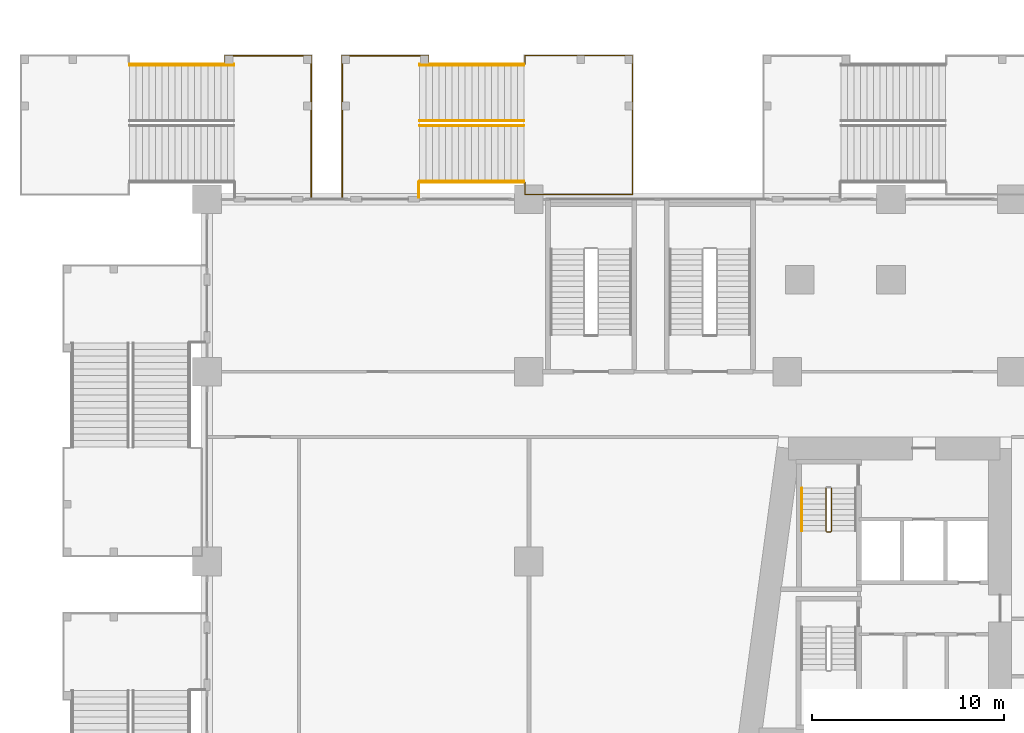
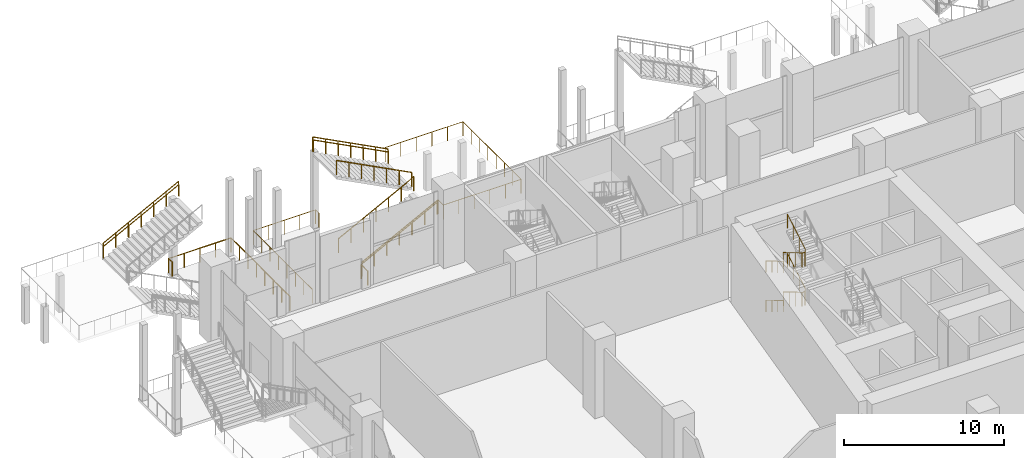
# One storey, part 40 of 47: 16 railings.
"""IFC4 building model written with IfcOpenShell, lengths in metres."""

from ifc_helpers import new_model, si_unit, direction, frame, origin, origin_2d, place, context, subcontext, project, spatial, circle, extrude, material, type_object, element, save


model = new_model("IFC4")

# Units and contexts
model_context = context("Model", 3, precision=1e-05, world=origin(), true_north=direction((0.0, 1.0)))
body_context = subcontext(model_context, "Body", "Model", "MODEL_VIEW")
ifc_project = project(units=[si_unit("LENGTHUNIT", "METRE"), si_unit("AREAUNIT", "SQUARE_METRE"), si_unit("VOLUMEUNIT", "CUBIC_METRE"), si_unit("PLANEANGLEUNIT", "RADIAN"), si_unit("MASSUNIT", "GRAM", prefix="KILO")], contexts=[model_context])

# Site, building, storey
site_placement = place(None, origin())
site = spatial("IfcSite", under=ifc_project, at=site_placement, CompositionType="ELEMENT")
building_placement = place(site_placement, origin())
building = spatial("IfcBuilding", under=site, at=building_placement, Name="Candeia Pilgrim Tower and Theatre", CompositionType="ELEMENT")
storey_placement = place(building_placement, frame((0.0, 0.0, 23.0)))
storey = spatial("IfcBuildingStorey", under=building, at=storey_placement, Name="L03", CompositionType="ELEMENT", Elevation=23.0)

# Railings
ifc_material_1 = material(Name="Stainless steel balustrade", Category="steel")
railing_type_1 = type_object("IfcRailingType", Name="RL-GUARD-1100", PredefinedType="GUARDRAIL", material=ifc_material_1)
railing_1_placement = place(storey_placement, frame((91.10205078125, 129.72509765625, 0.166748046875)))
element("IfcRailing", 1, at=railing_1_placement, inside=storey, type_object=railing_type_1, Name="L03 ST2 stair guard 1", PredefinedType="GUARDRAIL", context=body_context, shape_type="SweptSolid", body=[
    extrude(circle(Radius=0.02392578125, at=origin_2d()), frame((0.0, 0.0, 1.076171875), z_axis=(0.0, -0.859305625298, 0.511462454469), x_axis=(1.0, 0.0, 0.0)), (0.0, 0.0, 1.0), 2.606689453125),
    extrude(circle(Radius=0.02392578125, at=origin_2d()), frame((0.0, -2.239990234375, 2.4091796875), z_axis=(0.707106781187, -0.707106781187, 0.0), x_axis=(0.707106781187, 0.707106781187, 0.0)), (0.0, 0.0, 1.0), 0.07080078125),
    extrude(circle(Radius=0.02392578125, at=origin_2d()), frame((0.050048828125, -2.2900390625, 2.4091796875), z_axis=(1.0, 0.0, 0.0), x_axis=(0.0, 1.0, 0.0)), (0.0, 0.0, 1.0), 0.199951171875),
    extrude(circle(Radius=0.02392578125, at=origin_2d()), frame((0.25, -2.2900390625, 2.4091796875), z_axis=(0.27628659633, 0.27628659633, 0.920506074601), x_axis=(-0.707106781187, 0.707106781187, 0.0)), (0.0, 0.0, 1.0), 0.18115234375),
    extrude(circle(Radius=0.02392578125, at=origin_2d()), frame((0.300048828125, -2.239990234375, 2.576171875), z_axis=(0.0, 0.859305625298, 0.511462454469), x_axis=(-1.0, 0.0, 0.0)), (0.0, 0.0, 1.0), 2.606689453125),
    extrude(circle(Radius=0.02099609375, at=origin_2d()), origin(), (0.0, 0.0, 1.0), 1.052001953125),
    extrude(circle(Radius=0.02099609375, at=origin_2d()), frame((0.0, -0.74658203125, 0.4443359375)), (0.0, 0.0, 1.0), 1.052001953125),
    extrude(circle(Radius=0.02099609375, at=origin_2d()), frame((0.0, -1.493408203125, 0.888916015625)), (0.0, 0.0, 1.0), 1.052001953125),
    extrude(circle(Radius=0.02099609375, at=origin_2d()), frame((0.0, -2.239990234375, 1.333251953125)), (0.0, 0.0, 1.0), 1.052001953125),
    extrude(circle(Radius=0.02099609375, at=origin_2d()), frame((0.050048828125, -2.2900390625, 1.333251953125)), (0.0, 0.0, 1.0), 1.052001953125),
    extrude(circle(Radius=0.02099609375, at=origin_2d()), frame((0.25, -2.2900390625, 1.333251953125)), (0.0, 0.0, 1.0), 1.052001953125),
    extrude(circle(Radius=0.02099609375, at=origin_2d()), frame((0.300048828125, -2.239990234375, 1.5)), (0.0, 0.0, 1.0), 1.052001953125),
    extrude(circle(Radius=0.02099609375, at=origin_2d()), frame((0.300048828125, -1.493408203125, 1.9443359375)), (0.0, 0.0, 1.0), 1.052001953125),
    extrude(circle(Radius=0.02099609375, at=origin_2d()), frame((0.300048828125, -0.74658203125, 2.388916015625)), (0.0, 0.0, 1.0), 1.052001953125),
    extrude(circle(Radius=0.02099609375, at=origin_2d()), frame((0.300048828125, 0.0, 2.833251953125)), (0.0, 0.0, 1.0), 1.052001953125),
])
railing_2_placement = place(storey_placement, frame((91.10205078125, 129.72509765625, 3.166748046875)))
element("IfcRailing", 2, at=railing_2_placement, inside=storey, type_object=railing_type_1, Name="L03 ST2 stair guard 3", PredefinedType="GUARDRAIL", context=body_context, shape_type="SweptSolid", body=[
    extrude(circle(Radius=0.02392578125, at=origin_2d()), frame((0.0, 0.0, 1.076171875), z_axis=(0.0, -0.859305625298, 0.511462454469), x_axis=(1.0, 0.0, 0.0)), (0.0, 0.0, 1.0), 2.606689453125),
    extrude(circle(Radius=0.02392578125, at=origin_2d()), frame((0.0, -2.239990234375, 2.4091796875), z_axis=(0.707106781187, -0.707106781187, 0.0), x_axis=(0.707106781187, 0.707106781187, 0.0)), (0.0, 0.0, 1.0), 0.07080078125),
    extrude(circle(Radius=0.02392578125, at=origin_2d()), frame((0.050048828125, -2.2900390625, 2.4091796875), z_axis=(1.0, 0.0, 0.0), x_axis=(0.0, 1.0, 0.0)), (0.0, 0.0, 1.0), 0.199951171875),
    extrude(circle(Radius=0.02392578125, at=origin_2d()), frame((0.25, -2.2900390625, 2.4091796875), z_axis=(0.27628659633, 0.27628659633, 0.920506074601), x_axis=(-0.707106781187, 0.707106781187, 0.0)), (0.0, 0.0, 1.0), 0.18115234375),
    extrude(circle(Radius=0.02392578125, at=origin_2d()), frame((0.300048828125, -2.239990234375, 2.576171875), z_axis=(0.0, 0.859305625298, 0.511462454469), x_axis=(-1.0, 0.0, 0.0)), (0.0, 0.0, 1.0), 2.606689453125),
    extrude(circle(Radius=0.02099609375, at=origin_2d()), origin(), (0.0, 0.0, 1.0), 1.052001953125),
    extrude(circle(Radius=0.02099609375, at=origin_2d()), frame((0.0, -0.74658203125, 0.4443359375)), (0.0, 0.0, 1.0), 1.052001953125),
    extrude(circle(Radius=0.02099609375, at=origin_2d()), frame((0.0, -1.493408203125, 0.888916015625)), (0.0, 0.0, 1.0), 1.052001953125),
    extrude(circle(Radius=0.02099609375, at=origin_2d()), frame((0.0, -2.239990234375, 1.333251953125)), (0.0, 0.0, 1.0), 1.052001953125),
    extrude(circle(Radius=0.02099609375, at=origin_2d()), frame((0.050048828125, -2.2900390625, 1.333251953125)), (0.0, 0.0, 1.0), 1.052001953125),
    extrude(circle(Radius=0.02099609375, at=origin_2d()), frame((0.25, -2.2900390625, 1.333251953125)), (0.0, 0.0, 1.0), 1.052001953125),
    extrude(circle(Radius=0.02099609375, at=origin_2d()), frame((0.300048828125, -2.239990234375, 1.5)), (0.0, 0.0, 1.0), 1.052001953125),
    extrude(circle(Radius=0.02099609375, at=origin_2d()), frame((0.300048828125, -1.493408203125, 1.9443359375)), (0.0, 0.0, 1.0), 1.052001953125),
    extrude(circle(Radius=0.02099609375, at=origin_2d()), frame((0.300048828125, -0.74658203125, 2.388916015625)), (0.0, 0.0, 1.0), 1.052001953125),
    extrude(circle(Radius=0.02099609375, at=origin_2d()), frame((0.300048828125, 0.0, 2.833251953125)), (0.0, 0.0, 1.0), 1.052001953125),
])
railing_3_placement = place(storey_placement, frame((54.760009765625, 151.85009765625, 3.176513671875)))
element("IfcRailing", 3, at=railing_3_placement, inside=storey, type_object=railing_type_1, Name="L03 ES3 stair guard 4", PredefinedType="GUARDRAIL", context=body_context, shape_type="SweptSolid", body=[
    extrude(circle(Radius=0.02392578125, at=origin_2d()), frame((0.0, 0.0, 1.076171875), z_axis=(0.887569374008, 0.0, 0.460674078198), x_axis=(0.0, 1.0, 0.0)), (0.0, 0.0, 1.0), 6.129150390625),
    extrude(circle(Radius=0.02099609375, at=origin_2d()), origin(), (0.0, 0.0, 1.0), 1.052001953125),
    extrude(circle(Radius=0.02099609375, at=origin_2d()), frame((0.90673828125, 0.0, 0.470703125)), (0.0, 0.0, 1.0), 1.052001953125),
    extrude(circle(Radius=0.02099609375, at=origin_2d()), frame((1.813232421875, 0.0, 0.941162109375)), (0.0, 0.0, 1.0), 1.052001953125),
    extrude(circle(Radius=0.02099609375, at=origin_2d()), frame((2.719970703125, 0.0, 1.41162109375)), (0.0, 0.0, 1.0), 1.052001953125),
    extrude(circle(Radius=0.02099609375, at=origin_2d()), frame((3.626708984375, 0.0, 1.88232421875)), (0.0, 0.0, 1.0), 1.052001953125),
    extrude(circle(Radius=0.02099609375, at=origin_2d()), frame((4.533203125, 0.0, 2.35302734375)), (0.0, 0.0, 1.0), 1.052001953125),
    extrude(circle(Radius=0.02099609375, at=origin_2d()), frame((5.43994140625, 0.0, 2.823486328125)), (0.0, 0.0, 1.0), 1.052001953125),
])
railing_4_placement = place(storey_placement, frame((64.25, 144.89990234375, 0.0)))
element("IfcRailing", 4, at=railing_4_placement, inside=storey, type_object=railing_type_1, Name="L03 External escape stair ES3 landing guard", PredefinedType="GUARDRAIL", context=body_context, shape_type="SweptSolid", body=[
    extrude(circle(Radius=0.02392578125, at=origin_2d()), frame((0.0, 0.0, 1.076171875), z_axis=(0.0, 1.0, 0.0), x_axis=(-1.0, 0.0, 0.0)), (0.0, 0.0, 1.0), 7.400146484375),
    extrude(circle(Radius=0.02392578125, at=origin_2d()), frame((0.0, 7.400146484375, 1.076171875), z_axis=(-1.0, 0.0, 0.0), x_axis=(0.0, -1.0, 0.0)), (0.0, 0.0, 1.0), 4.5),
    extrude(circle(Radius=0.02392578125, at=origin_2d()), frame((-4.5, 7.400146484375, 1.076171875), z_axis=(0.0, -1.0, 0.0), x_axis=(1.0, 0.0, 0.0)), (0.0, 0.0, 1.0), 0.449951171875),
    extrude(circle(Radius=0.02099609375, at=origin_2d()), origin(), (0.0, 0.0, 1.0), 1.052001953125),
    extrude(circle(Radius=0.02099609375, at=origin_2d()), frame((0.0, 1.05712890625, 0.0)), (0.0, 0.0, 1.0), 1.052001953125),
    extrude(circle(Radius=0.02099609375, at=origin_2d()), frame((0.0, 2.1142578125, 0.0)), (0.0, 0.0, 1.0), 1.052001953125),
    extrude(circle(Radius=0.02099609375, at=origin_2d()), frame((0.0, 3.17138671875, 0.0)), (0.0, 0.0, 1.0), 1.052001953125),
    extrude(circle(Radius=0.02099609375, at=origin_2d()), frame((0.0, 4.228759765625, 0.0)), (0.0, 0.0, 1.0), 1.052001953125),
    extrude(circle(Radius=0.02099609375, at=origin_2d()), frame((0.0, 5.285888671875, 0.0)), (0.0, 0.0, 1.0), 1.052001953125),
    extrude(circle(Radius=0.02099609375, at=origin_2d()), frame((0.0, 6.343017578125, 0.0)), (0.0, 0.0, 1.0), 1.052001953125),
    extrude(circle(Radius=0.02099609375, at=origin_2d()), frame((0.0, 7.400146484375, 0.0)), (0.0, 0.0, 1.0), 1.052001953125),
    extrude(circle(Radius=0.02099609375, at=origin_2d()), frame((-1.125, 7.400146484375, 0.0)), (0.0, 0.0, 1.0), 1.052001953125),
    extrude(circle(Radius=0.02099609375, at=origin_2d()), frame((-2.25, 7.400146484375, 0.0)), (0.0, 0.0, 1.0), 1.052001953125),
    extrude(circle(Radius=0.02099609375, at=origin_2d()), frame((-3.375, 7.400146484375, 0.0)), (0.0, 0.0, 1.0), 1.052001953125),
    extrude(circle(Radius=0.02099609375, at=origin_2d()), frame((-4.5, 7.400146484375, 0.0)), (0.0, 0.0, 1.0), 1.052001953125),
    extrude(circle(Radius=0.02099609375, at=origin_2d()), frame((-4.5, 6.9501953125, 0.0)), (0.0, 0.0, 1.0), 1.052001953125),
])
railing_5_placement = place(storey_placement, frame((69.89990234375, 148.64990234375, 0.176513671875)))
element("IfcRailing", 5, at=railing_5_placement, inside=storey, type_object=railing_type_1, Name="L03 ES4 stair guard 1", PredefinedType="GUARDRAIL", context=body_context, shape_type="SweptSolid", body=[
    extrude(circle(Radius=0.02392578125, at=origin_2d()), frame((0.0, 0.0, 1.076171875), z_axis=(0.887577827043, 0.0, 0.460657791579), x_axis=(0.0, 1.0, 0.0)), (0.0, 0.0, 1.0), 6.129150390625),
    extrude(circle(Radius=0.02099609375, at=origin_2d()), origin(), (0.0, 0.0, 1.0), 1.052001953125),
    extrude(circle(Radius=0.02099609375, at=origin_2d()), frame((0.90673828125, 0.0, 0.470703125)), (0.0, 0.0, 1.0), 1.052001953125),
    extrude(circle(Radius=0.02099609375, at=origin_2d()), frame((1.8134765625, 0.0, 0.941162109375)), (0.0, 0.0, 1.0), 1.052001953125),
    extrude(circle(Radius=0.02099609375, at=origin_2d()), frame((2.72021484375, 0.0, 1.41162109375)), (0.0, 0.0, 1.0), 1.052001953125),
    extrude(circle(Radius=0.02099609375, at=origin_2d()), frame((3.626708984375, 0.0, 1.88232421875)), (0.0, 0.0, 1.0), 1.052001953125),
    extrude(circle(Radius=0.02099609375, at=origin_2d()), frame((4.533447265625, 0.0, 2.35302734375)), (0.0, 0.0, 1.0), 1.052001953125),
    extrude(circle(Radius=0.02099609375, at=origin_2d()), frame((5.440185546875, 0.0, 2.823486328125)), (0.0, 0.0, 1.0), 1.052001953125),
])
railing_6_placement = place(storey_placement, frame((75.340087890625, 148.89990234375, 3.176513671875)))
element("IfcRailing", 6, at=railing_6_placement, inside=storey, type_object=railing_type_1, Name="L03 ES4 stair guard 2", PredefinedType="GUARDRAIL", context=body_context, shape_type="SweptSolid", body=[
    extrude(circle(Radius=0.02392578125, at=origin_2d()), frame((0.0, 0.0, 1.076171875), z_axis=(-0.887577827043, 0.0, 0.460657791579), x_axis=(0.0, -1.0, 0.0)), (0.0, 0.0, 1.0), 6.129150390625),
    extrude(circle(Radius=0.02099609375, at=origin_2d()), origin(), (0.0, 0.0, 1.0), 1.052001953125),
    extrude(circle(Radius=0.02099609375, at=origin_2d()), frame((-0.90673828125, 0.0, 0.470703125)), (0.0, 0.0, 1.0), 1.052001953125),
    extrude(circle(Radius=0.02099609375, at=origin_2d()), frame((-1.8134765625, 0.0, 0.941162109375)), (0.0, 0.0, 1.0), 1.052001953125),
    extrude(circle(Radius=0.02099609375, at=origin_2d()), frame((-2.72021484375, 0.0, 1.41162109375)), (0.0, 0.0, 1.0), 1.052001953125),
    extrude(circle(Radius=0.02099609375, at=origin_2d()), frame((-3.626708984375, 0.0, 1.88232421875)), (0.0, 0.0, 1.0), 1.052001953125),
    extrude(circle(Radius=0.02099609375, at=origin_2d()), frame((-4.533447265625, 0.0, 2.35302734375)), (0.0, 0.0, 1.0), 1.052001953125),
    extrude(circle(Radius=0.02099609375, at=origin_2d()), frame((-5.440185546875, 0.0, 2.823486328125)), (0.0, 0.0, 1.0), 1.052001953125),
])
railing_7_placement = place(storey_placement, frame((69.89990234375, 145.699951171875, 0.176513671875)))
element("IfcRailing", 7, at=railing_7_placement, inside=storey, type_object=railing_type_1, Name="L03 ES4 stair guard 3", PredefinedType="GUARDRAIL", context=body_context, shape_type="SweptSolid", body=[
    extrude(circle(Radius=0.02392578125, at=origin_2d()), frame((0.0, 0.0, 1.076171875), z_axis=(0.887577827043, 0.0, 0.460657791579), x_axis=(0.0, 1.0, 0.0)), (0.0, 0.0, 1.0), 6.129150390625),
    extrude(circle(Radius=0.02099609375, at=origin_2d()), origin(), (0.0, 0.0, 1.0), 1.052001953125),
    extrude(circle(Radius=0.02099609375, at=origin_2d()), frame((0.90673828125, 0.0, 0.470703125)), (0.0, 0.0, 1.0), 1.052001953125),
    extrude(circle(Radius=0.02099609375, at=origin_2d()), frame((1.8134765625, 0.0, 0.941162109375)), (0.0, 0.0, 1.0), 1.052001953125),
    extrude(circle(Radius=0.02099609375, at=origin_2d()), frame((2.72021484375, 0.0, 1.41162109375)), (0.0, 0.0, 1.0), 1.052001953125),
    extrude(circle(Radius=0.02099609375, at=origin_2d()), frame((3.626708984375, 0.0, 1.88232421875)), (0.0, 0.0, 1.0), 1.052001953125),
    extrude(circle(Radius=0.02099609375, at=origin_2d()), frame((4.533447265625, 0.0, 2.35302734375)), (0.0, 0.0, 1.0), 1.052001953125),
    extrude(circle(Radius=0.02099609375, at=origin_2d()), frame((5.440185546875, 0.0, 2.823486328125)), (0.0, 0.0, 1.0), 1.052001953125),
])
railing_8_placement = place(storey_placement, frame((75.340087890625, 151.85009765625, 3.176513671875)))
element("IfcRailing", 8, at=railing_8_placement, inside=storey, type_object=railing_type_1, Name="L03 ES4 stair guard 4", PredefinedType="GUARDRAIL", context=body_context, shape_type="SweptSolid", body=[
    extrude(circle(Radius=0.02392578125, at=origin_2d()), frame((0.0, 0.0, 1.076171875), z_axis=(-0.887577827043, 0.0, 0.460657791579), x_axis=(0.0, -1.0, 0.0)), (0.0, 0.0, 1.0), 6.129150390625),
    extrude(circle(Radius=0.02099609375, at=origin_2d()), origin(), (0.0, 0.0, 1.0), 1.052001953125),
    extrude(circle(Radius=0.02099609375, at=origin_2d()), frame((-0.90673828125, 0.0, 0.470703125)), (0.0, 0.0, 1.0), 1.052001953125),
    extrude(circle(Radius=0.02099609375, at=origin_2d()), frame((-1.8134765625, 0.0, 0.941162109375)), (0.0, 0.0, 1.0), 1.052001953125),
    extrude(circle(Radius=0.02099609375, at=origin_2d()), frame((-2.72021484375, 0.0, 1.41162109375)), (0.0, 0.0, 1.0), 1.052001953125),
    extrude(circle(Radius=0.02099609375, at=origin_2d()), frame((-3.626708984375, 0.0, 1.88232421875)), (0.0, 0.0, 1.0), 1.052001953125),
    extrude(circle(Radius=0.02099609375, at=origin_2d()), frame((-4.533447265625, 0.0, 2.35302734375)), (0.0, 0.0, 1.0), 1.052001953125),
    extrude(circle(Radius=0.02099609375, at=origin_2d()), frame((-5.440185546875, 0.0, 2.823486328125)), (0.0, 0.0, 1.0), 1.052001953125),
])
railing_9_placement = place(storey_placement, frame((75.389892578125, 145.699951171875, 3.0)))
element("IfcRailing", 9, at=railing_9_placement, inside=storey, type_object=railing_type_1, Name="L03 ES4 stair guard 5", PredefinedType="GUARDRAIL", context=body_context, shape_type="SweptSolid", body=[
    extrude(circle(Radius=0.02392578125, at=origin_2d()), frame((0.0, 0.0, 1.076171875), z_axis=(0.0, -1.0, 0.0), x_axis=(1.0, 0.0, 0.0)), (0.0, 0.0, 1.0), 0.64990234375),
    extrude(circle(Radius=0.02392578125, at=origin_2d()), frame((0.0, -0.64990234375, 1.076171875), z_axis=(1.0, 0.0, 0.0), x_axis=(0.0, 1.0, 0.0)), (0.0, 0.0, 1.0), 5.6201171875),
    extrude(circle(Radius=0.02392578125, at=origin_2d()), frame((5.6201171875, -0.64990234375, 1.076171875), z_axis=(0.0, 1.0, 0.0), x_axis=(-1.0, 0.0, 0.0)), (0.0, 0.0, 1.0), 7.25),
    extrude(circle(Radius=0.02392578125, at=origin_2d()), frame((5.6201171875, 6.60009765625, 1.076171875), z_axis=(-1.0, 0.0, 0.0), x_axis=(0.0, -1.0, 0.0)), (0.0, 0.0, 1.0), 5.6201171875),
    extrude(circle(Radius=0.02392578125, at=origin_2d()), frame((0.0, 6.60009765625, 1.076171875), z_axis=(0.0, -1.0, 0.0), x_axis=(1.0, 0.0, 0.0)), (0.0, 0.0, 1.0), 0.449951171875),
    extrude(circle(Radius=0.02099609375, at=origin_2d()), origin(), (0.0, 0.0, 1.0), 1.052001953125),
    extrude(circle(Radius=0.02099609375, at=origin_2d()), frame((0.0, -0.64990234375, 0.0)), (0.0, 0.0, 1.0), 1.052001953125),
    extrude(circle(Radius=0.02099609375, at=origin_2d()), frame((1.1240234375, -0.64990234375, 0.0)), (0.0, 0.0, 1.0), 1.052001953125),
    extrude(circle(Radius=0.02099609375, at=origin_2d()), frame((2.248046875, -0.64990234375, 0.0)), (0.0, 0.0, 1.0), 1.052001953125),
    extrude(circle(Radius=0.02099609375, at=origin_2d()), frame((3.3720703125, -0.64990234375, 0.0)), (0.0, 0.0, 1.0), 1.052001953125),
    extrude(circle(Radius=0.02099609375, at=origin_2d()), frame((4.49609375, -0.64990234375, 0.0)), (0.0, 0.0, 1.0), 1.052001953125),
    extrude(circle(Radius=0.02099609375, at=origin_2d()), frame((5.6201171875, -0.64990234375, 0.0)), (0.0, 0.0, 1.0), 1.052001953125),
    extrude(circle(Radius=0.02099609375, at=origin_2d()), frame((5.6201171875, 0.3857421875, 0.0)), (0.0, 0.0, 1.0), 1.052001953125),
    extrude(circle(Radius=0.02099609375, at=origin_2d()), frame((5.6201171875, 1.421630859375, 0.0)), (0.0, 0.0, 1.0), 1.052001953125),
    extrude(circle(Radius=0.02099609375, at=origin_2d()), frame((5.6201171875, 2.457275390625, 0.0)), (0.0, 0.0, 1.0), 1.052001953125),
    extrude(circle(Radius=0.02099609375, at=origin_2d()), frame((5.6201171875, 3.492919921875, 0.0)), (0.0, 0.0, 1.0), 1.052001953125),
    extrude(circle(Radius=0.02099609375, at=origin_2d()), frame((5.6201171875, 4.528564453125, 0.0)), (0.0, 0.0, 1.0), 1.052001953125),
    extrude(circle(Radius=0.02099609375, at=origin_2d()), frame((5.6201171875, 5.564453125, 0.0)), (0.0, 0.0, 1.0), 1.052001953125),
    extrude(circle(Radius=0.02099609375, at=origin_2d()), frame((5.6201171875, 6.60009765625, 0.0)), (0.0, 0.0, 1.0), 1.052001953125),
    extrude(circle(Radius=0.02099609375, at=origin_2d()), frame((4.49609375, 6.60009765625, 0.0)), (0.0, 0.0, 1.0), 1.052001953125),
    extrude(circle(Radius=0.02099609375, at=origin_2d()), frame((3.3720703125, 6.60009765625, 0.0)), (0.0, 0.0, 1.0), 1.052001953125),
    extrude(circle(Radius=0.02099609375, at=origin_2d()), frame((2.248046875, 6.60009765625, 0.0)), (0.0, 0.0, 1.0), 1.052001953125),
    extrude(circle(Radius=0.02099609375, at=origin_2d()), frame((1.1240234375, 6.60009765625, 0.0)), (0.0, 0.0, 1.0), 1.052001953125),
    extrude(circle(Radius=0.02099609375, at=origin_2d()), frame((0.0, 6.60009765625, 0.0)), (0.0, 0.0, 1.0), 1.052001953125),
    extrude(circle(Radius=0.02099609375, at=origin_2d()), frame((0.0, 6.150146484375, 0.0)), (0.0, 0.0, 1.0), 1.052001953125),
])
railing_10_placement = place(storey_placement, frame((65.85009765625, 144.89990234375, 0.0)))
element("IfcRailing", 10, at=railing_10_placement, inside=storey, type_object=railing_type_1, Name="L03 External escape stair ES4 landing guard", PredefinedType="GUARDRAIL", context=body_context, shape_type="SweptSolid", body=[
    extrude(circle(Radius=0.02392578125, at=origin_2d()), frame((0.0, 0.0, 1.076171875), z_axis=(0.0, 1.0, 0.0), x_axis=(-1.0, 0.0, 0.0)), (0.0, 0.0, 1.0), 7.400146484375),
    extrude(circle(Radius=0.02392578125, at=origin_2d()), frame((0.0, 7.400146484375, 1.076171875), z_axis=(1.0, 0.0, 0.0), x_axis=(0.0, 1.0, 0.0)), (0.0, 0.0, 1.0), 4.5),
    extrude(circle(Radius=0.02392578125, at=origin_2d()), frame((4.5, 7.400146484375, 1.076171875), z_axis=(0.0, -1.0, 0.0), x_axis=(1.0, 0.0, 0.0)), (0.0, 0.0, 1.0), 0.449951171875),
    extrude(circle(Radius=0.02099609375, at=origin_2d()), origin(), (0.0, 0.0, 1.0), 1.052001953125),
    extrude(circle(Radius=0.02099609375, at=origin_2d()), frame((0.0, 1.05712890625, 0.0)), (0.0, 0.0, 1.0), 1.052001953125),
    extrude(circle(Radius=0.02099609375, at=origin_2d()), frame((0.0, 2.1142578125, 0.0)), (0.0, 0.0, 1.0), 1.052001953125),
    extrude(circle(Radius=0.02099609375, at=origin_2d()), frame((0.0, 3.17138671875, 0.0)), (0.0, 0.0, 1.0), 1.052001953125),
    extrude(circle(Radius=0.02099609375, at=origin_2d()), frame((0.0, 4.228759765625, 0.0)), (0.0, 0.0, 1.0), 1.052001953125),
    extrude(circle(Radius=0.02099609375, at=origin_2d()), frame((0.0, 5.285888671875, 0.0)), (0.0, 0.0, 1.0), 1.052001953125),
    extrude(circle(Radius=0.02099609375, at=origin_2d()), frame((0.0, 6.343017578125, 0.0)), (0.0, 0.0, 1.0), 1.052001953125),
    extrude(circle(Radius=0.02099609375, at=origin_2d()), frame((0.0, 7.400146484375, 0.0)), (0.0, 0.0, 1.0), 1.052001953125),
    extrude(circle(Radius=0.02099609375, at=origin_2d()), frame((1.125, 7.400146484375, 0.0)), (0.0, 0.0, 1.0), 1.052001953125),
    extrude(circle(Radius=0.02099609375, at=origin_2d()), frame((2.25, 7.400146484375, 0.0)), (0.0, 0.0, 1.0), 1.052001953125),
    extrude(circle(Radius=0.02099609375, at=origin_2d()), frame((3.375, 7.400146484375, 0.0)), (0.0, 0.0, 1.0), 1.052001953125),
    extrude(circle(Radius=0.02099609375, at=origin_2d()), frame((4.5, 7.400146484375, 0.0)), (0.0, 0.0, 1.0), 1.052001953125),
    extrude(circle(Radius=0.02099609375, at=origin_2d()), frame((4.5, 6.9501953125, 0.0)), (0.0, 0.0, 1.0), 1.052001953125),
])
railing_11_placement = place(storey_placement, frame((69.85009765625, 144.89990234375, 0.0)))
element("IfcRailing", 11, at=railing_11_placement, inside=storey, type_object=railing_type_1, Name="L03 External escape stair ES4 bridge guard", PredefinedType="GUARDRAIL", context=body_context, shape_type="SweptSolid", body=[
    extrude(circle(Radius=0.02392578125, at=origin_2d()), frame((0.0, 0.0, 1.076171875), z_axis=(0.0, 1.0, 0.0), x_axis=(-1.0, 0.0, 0.0)), (0.0, 0.0, 1.0), 0.800048828125),
    extrude(circle(Radius=0.02099609375, at=origin_2d()), origin(), (0.0, 0.0, 1.0), 1.052001953125),
    extrude(circle(Radius=0.02099609375, at=origin_2d()), frame((0.0, 0.800048828125, 0.0)), (0.0, 0.0, 1.0), 1.052001953125),
])
ifc_material_2 = material(Name="Stainless steel handrail", Category="steel")
railing_type_2 = type_object("IfcRailingType", Name="RL-HANDRAIL-900", PredefinedType="HANDRAIL", material=ifc_material_2)
for number, where, name in (
    (12, (89.85205078125, 129.72509765625, 0.166748046875), "L03 ST2 stair handrail 1"),
    (13, (89.85205078125, 129.72509765625, 3.166748046875), "L03 ST2 stair handrail 3"),
):
    element("IfcRailing", number, at=place(storey_placement, frame(where)), inside=storey, type_object=railing_type_2, Name=name, PredefinedType="HANDRAIL", context=body_context, shape_type="SweptSolid", body=[
        extrude(circle(Radius=0.02392578125, at=origin_2d()), frame((0.0, 0.0, 0.8759765625), z_axis=(0.0, -0.859305625298, 0.511462454469), x_axis=(1.0, 0.0, 0.0)), (0.0, 0.0, 1.0), 2.606689453125),
        extrude(circle(Radius=0.02099609375, at=origin_2d()), origin(), (0.0, 0.0, 1.0), 0.851806640625),
        extrude(circle(Radius=0.02099609375, at=origin_2d()), frame((0.0, -0.74658203125, 0.4443359375)), (0.0, 0.0, 1.0), 0.851806640625),
        extrude(circle(Radius=0.02099609375, at=origin_2d()), frame((0.0, -1.493408203125, 0.888916015625)), (0.0, 0.0, 1.0), 0.851806640625),
        extrude(circle(Radius=0.02099609375, at=origin_2d()), frame((0.0, -2.239990234375, 1.333251953125)), (0.0, 0.0, 1.0), 0.851806640625),
    ])
railing_12_placement = place(storey_placement, frame((54.760009765625, 151.800048828125, 3.176513671875)))
element("IfcRailing", 14, at=railing_12_placement, inside=storey, type_object=railing_type_2, Name="L03 ES3 stair handrail 2", PredefinedType="HANDRAIL", context=body_context, shape_type="SweptSolid", body=[
    extrude(circle(Radius=0.02392578125, at=origin_2d()), frame((0.0, 0.0, 0.8759765625), z_axis=(0.887569374008, 0.0, 0.460674078198), x_axis=(0.0, 1.0, 0.0)), (0.0, 0.0, 1.0), 6.129150390625),
    extrude(circle(Radius=0.02099609375, at=origin_2d()), origin(), (0.0, 0.0, 1.0), 0.851806640625),
    extrude(circle(Radius=0.02099609375, at=origin_2d()), frame((0.90673828125, 0.0, 0.470703125)), (0.0, 0.0, 1.0), 0.851806640625),
    extrude(circle(Radius=0.02099609375, at=origin_2d()), frame((1.813232421875, 0.0, 0.941162109375)), (0.0, 0.0, 1.0), 0.851806640625),
    extrude(circle(Radius=0.02099609375, at=origin_2d()), frame((2.719970703125, 0.0, 1.41162109375)), (0.0, 0.0, 1.0), 0.851806640625),
    extrude(circle(Radius=0.02099609375, at=origin_2d()), frame((3.626708984375, 0.0, 1.88232421875)), (0.0, 0.0, 1.0), 0.851806640625),
    extrude(circle(Radius=0.02099609375, at=origin_2d()), frame((4.533203125, 0.0, 2.35302734375)), (0.0, 0.0, 1.0), 0.851806640625),
    extrude(circle(Radius=0.02099609375, at=origin_2d()), frame((5.43994140625, 0.0, 2.823486328125)), (0.0, 0.0, 1.0), 0.851806640625),
])
railing_13_placement = place(storey_placement, frame((69.89990234375, 145.75, 0.176513671875)))
element("IfcRailing", 15, at=railing_13_placement, inside=storey, type_object=railing_type_2, Name="L03 ES4 stair handrail 1", PredefinedType="HANDRAIL", context=body_context, shape_type="SweptSolid", body=[
    extrude(circle(Radius=0.02392578125, at=origin_2d()), frame((0.0, 0.0, 0.8759765625), z_axis=(0.887577827043, 0.0, 0.460657791579), x_axis=(0.0, 1.0, 0.0)), (0.0, 0.0, 1.0), 6.129150390625),
    extrude(circle(Radius=0.02099609375, at=origin_2d()), origin(), (0.0, 0.0, 1.0), 0.851806640625),
    extrude(circle(Radius=0.02099609375, at=origin_2d()), frame((0.90673828125, 0.0, 0.470703125)), (0.0, 0.0, 1.0), 0.851806640625),
    extrude(circle(Radius=0.02099609375, at=origin_2d()), frame((1.8134765625, 0.0, 0.941162109375)), (0.0, 0.0, 1.0), 0.851806640625),
    extrude(circle(Radius=0.02099609375, at=origin_2d()), frame((2.72021484375, 0.0, 1.41162109375)), (0.0, 0.0, 1.0), 0.851806640625),
    extrude(circle(Radius=0.02099609375, at=origin_2d()), frame((3.626708984375, 0.0, 1.88232421875)), (0.0, 0.0, 1.0), 0.851806640625),
    extrude(circle(Radius=0.02099609375, at=origin_2d()), frame((4.533447265625, 0.0, 2.35302734375)), (0.0, 0.0, 1.0), 0.851806640625),
    extrude(circle(Radius=0.02099609375, at=origin_2d()), frame((5.440185546875, 0.0, 2.823486328125)), (0.0, 0.0, 1.0), 0.851806640625),
])
railing_14_placement = place(storey_placement, frame((75.340087890625, 151.800048828125, 3.176513671875)))
element("IfcRailing", 16, at=railing_14_placement, inside=storey, type_object=railing_type_2, Name="L03 ES4 stair handrail 2", PredefinedType="HANDRAIL", context=body_context, shape_type="SweptSolid", body=[
    extrude(circle(Radius=0.02392578125, at=origin_2d()), frame((0.0, 0.0, 0.8759765625), z_axis=(-0.887577827043, 0.0, 0.460657791579), x_axis=(0.0, -1.0, 0.0)), (0.0, 0.0, 1.0), 6.129150390625),
    extrude(circle(Radius=0.02099609375, at=origin_2d()), origin(), (0.0, 0.0, 1.0), 0.851806640625),
    extrude(circle(Radius=0.02099609375, at=origin_2d()), frame((-0.90673828125, 0.0, 0.470703125)), (0.0, 0.0, 1.0), 0.851806640625),
    extrude(circle(Radius=0.02099609375, at=origin_2d()), frame((-1.8134765625, 0.0, 0.941162109375)), (0.0, 0.0, 1.0), 0.851806640625),
    extrude(circle(Radius=0.02099609375, at=origin_2d()), frame((-2.72021484375, 0.0, 1.41162109375)), (0.0, 0.0, 1.0), 0.851806640625),
    extrude(circle(Radius=0.02099609375, at=origin_2d()), frame((-3.626708984375, 0.0, 1.88232421875)), (0.0, 0.0, 1.0), 0.851806640625),
    extrude(circle(Radius=0.02099609375, at=origin_2d()), frame((-4.533447265625, 0.0, 2.35302734375)), (0.0, 0.0, 1.0), 0.851806640625),
    extrude(circle(Radius=0.02099609375, at=origin_2d()), frame((-5.440185546875, 0.0, 2.823486328125)), (0.0, 0.0, 1.0), 0.851806640625),
])

save(model, "model.ifc")
